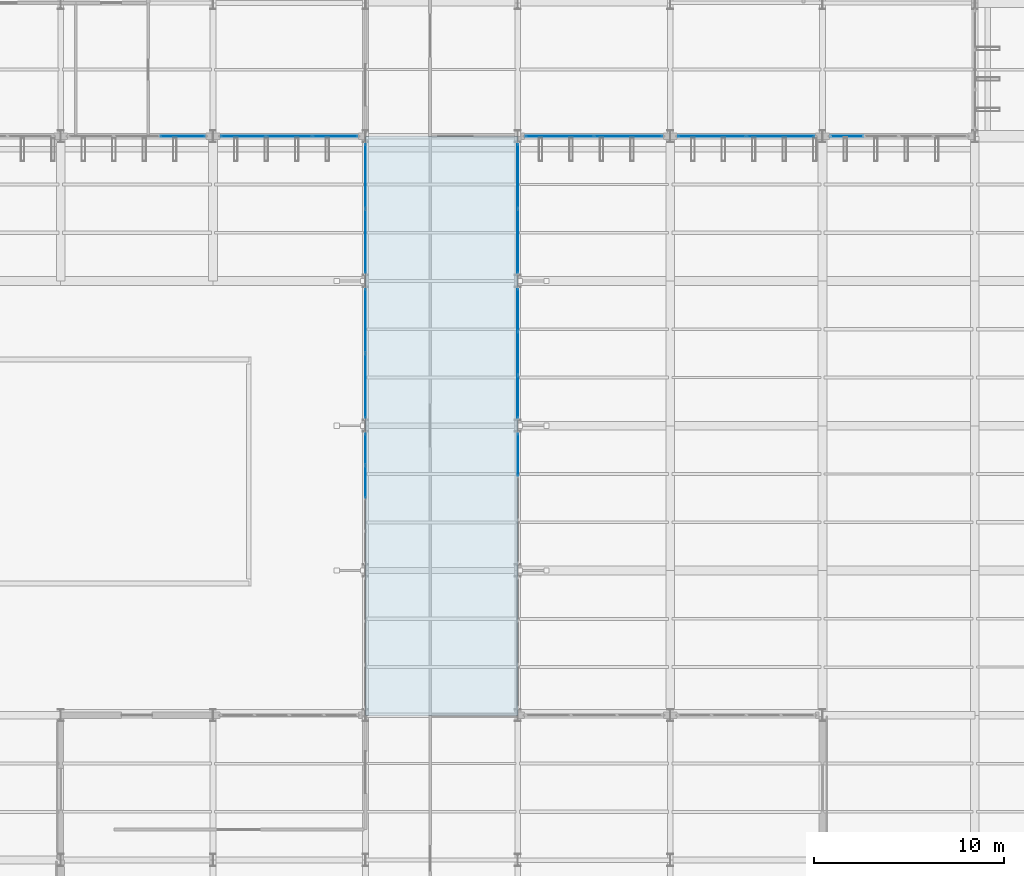
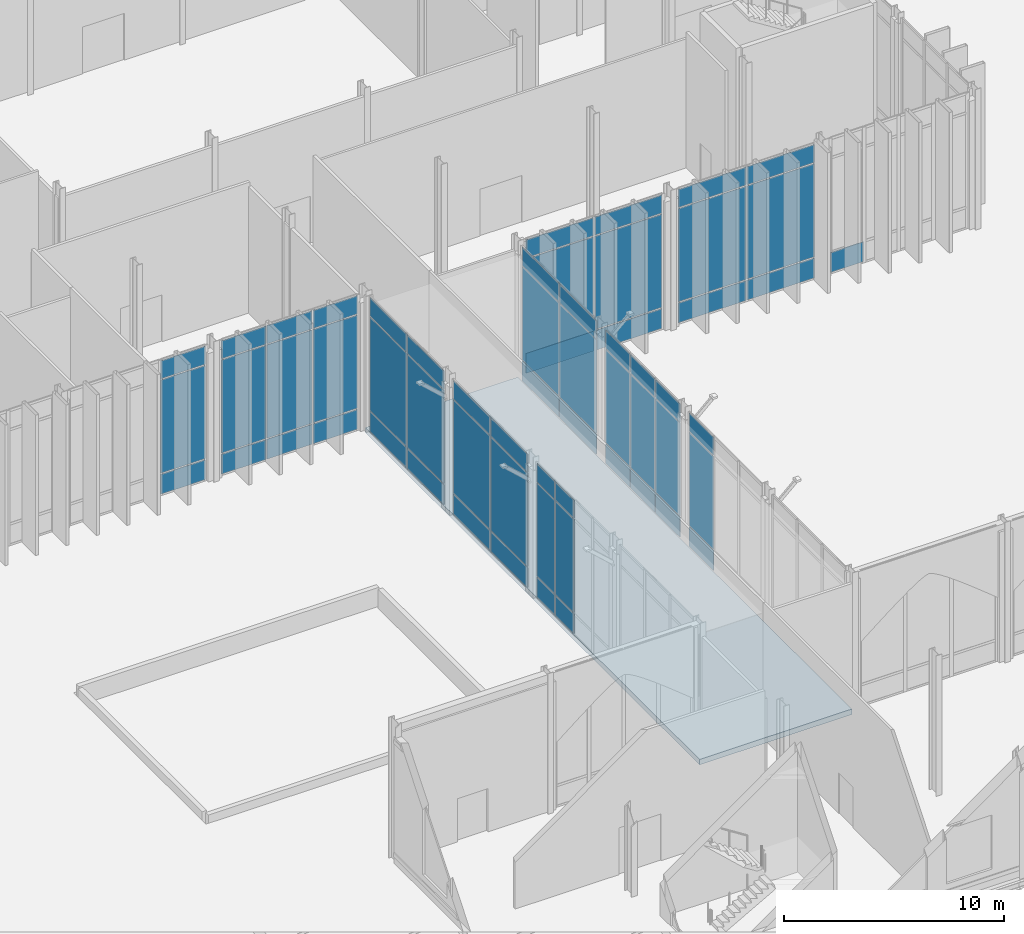
# One storey, part 118 of 176: 61 plates, 1 slab, 11 elements without a shape of their own.
"""IFC4 building model written with IfcOpenShell, lengths in metres."""

from ifc_helpers import new_model, si_unit, direction, frame, origin, origin_2d, place, context, subcontext, project, spatial, polyline, rectangle, outline, extrude, material, layer, layer_set, type_object, element, aggregate, save


model = new_model("IFC4")

# Units and contexts
model_context = context("Model", 3, precision=1e-05, world=origin(), true_north=direction((0.0, 1.0)))
body_context = subcontext(model_context, "Body", "Model", "MODEL_VIEW")
ifc_project = project(units=[si_unit("LENGTHUNIT", "METRE"), si_unit("AREAUNIT", "SQUARE_METRE"), si_unit("VOLUMEUNIT", "CUBIC_METRE"), si_unit("PLANEANGLEUNIT", "RADIAN"), si_unit("MASSUNIT", "GRAM", prefix="KILO")], contexts=[model_context])

# Site, building, storey
site_placement = place(None, origin())
site = spatial("IfcSite", under=ifc_project, at=site_placement, CompositionType="ELEMENT")
building_placement = place(site_placement, origin())
building = spatial("IfcBuilding", under=site, at=building_placement, Name="Vekula Escarpment Museum", CompositionType="ELEMENT")
storey_placement = place(building_placement, origin())
storey = spatial("IfcBuildingStorey", under=building, at=storey_placement, Name="L01", CompositionType="ELEMENT", Elevation=0.0)

# Curtain wall, plates
ifc_material_1 = material(Name="Aluminium thermally broken framing", Category="aluminium")
ifc_layer_1 = layer(ifc_material_1, 0.199951171875)
ifc_layer_set_1 = layer_set([ifc_layer_1], Name="Aluminium thermally broken framing")
curtain_wall_type_1 = type_object("IfcCurtainWallType", Name="CW-SYS-04", PredefinedType="NOTDEFINED", material=ifc_layer_set_1)
curtain_wall_1_placement = place(storey_placement, origin())
curtain_wall_1 = element("IfcCurtainWall", 1, at=curtain_wall_1_placement, inside=storey, type_object=curtain_wall_type_1, Name="Curtain Wall CW-L01-004", PredefinedType="NOTDEFINED")
ifc_material_2 = material(Name="Double solar-control low-E glass", Category="glass")
ifc_layer_2 = layer(ifc_material_2, 0.028076171875)
ifc_layer_set_2 = layer_set([ifc_layer_2], Name="Double solar-control low-E glass")
plate_type_1 = type_object("IfcPlateType", Name="CW-PNL-28", PredefinedType="CURTAIN_PANEL", material=ifc_layer_set_2)
plate_1_placement = place(storey_placement, frame((102.0, 28.877197265625, 0.06494140625), z_axis=(0.0, 0.0, 1.0), x_axis=(0.0, 1.0, 0.0)))
plate_1 = element("IfcPlate", 2, at=plate_1_placement, type_object=plate_type_1, Name="CW-04 panel 3.1", PredefinedType="CURTAIN_PANEL", context=body_context, shape_type="SweptSolid", body=[
    extrude(rectangle(XDim=2.19580078125, YDim=0.028076171875, at=origin_2d()), origin(), (0.0, 0.0, 1.0), 1.1025390625),
])
plate_2_placement = place(storey_placement, frame((102.0, 28.877197265625, 1.232421875), z_axis=(0.0, 0.0, 1.0), x_axis=(0.0, 1.0, 0.0)))
plate_2 = element("IfcPlate", 3, at=plate_2_placement, type_object=plate_type_1, Name="CW-04 panel 3.2", PredefinedType="CURTAIN_PANEL", context=body_context, shape_type="SweptSolid", body=[
    extrude(rectangle(XDim=2.19580078125, YDim=0.028076171875, at=origin_2d()), origin(), (0.0, 0.0, 1.0), 5.175048828125),
])
plate_3_placement = place(storey_placement, frame((102.0, 28.877197265625, 6.472412109375), z_axis=(0.0, 0.0, 1.0), x_axis=(0.0, 1.0, 0.0)))
plate_3 = element("IfcPlate", 4, at=plate_3_placement, type_object=plate_type_1, Name="CW-04 panel 3.3", PredefinedType="CURTAIN_PANEL", context=body_context, shape_type="SweptSolid", body=[
    extrude(rectangle(XDim=2.19580078125, YDim=0.028076171875, at=origin_2d()), origin(), (0.0, 0.0, 1.0), 1.00244140625),
])
aggregate(curtain_wall_1, [plate_1, plate_2, plate_3])

ifc_material_3 = material(Name="Aluminium thermally broken framing", Category="aluminium")
ifc_layer_3 = layer(ifc_material_3, 0.179931640625)
ifc_layer_set_3 = layer_set([ifc_layer_3], Name="Aluminium thermally broken framing")
curtain_wall_type_2 = type_object("IfcCurtainWallType", Name="CW-SYS-08", PredefinedType="NOTDEFINED", material=ifc_layer_set_3)
curtain_wall_2_placement = place(storey_placement, origin())
curtain_wall_2 = element("IfcCurtainWall", 5, at=curtain_wall_2_placement, inside=storey, type_object=curtain_wall_type_2, Name="Curtain Wall CW-L01-008", PredefinedType="NOTDEFINED")
plate_4_placement = place(storey_placement, frame((112.1962890625, 45.60009765625, 0.06494140625), z_axis=(0.0, 0.0, 1.0), x_axis=(1.0, 0.0, 0.0)))
plate_4 = element("IfcPlate", 6, at=plate_4_placement, type_object=plate_type_1, Name="CW-08 panel 1.1", PredefinedType="CURTAIN_PANEL", context=body_context, shape_type="SweptSolid", body=[
    extrude(rectangle(XDim=3.54248046875, YDim=0.028076171875, at=origin_2d()), origin(), (0.0, 0.0, 1.0), 1.1025390625),
])
plate_5_placement = place(storey_placement, frame((112.1962890625, 45.60009765625, 1.232421875), z_axis=(0.0, 0.0, 1.0), x_axis=(1.0, 0.0, 0.0)))
plate_5 = element("IfcPlate", 7, at=plate_5_placement, type_object=plate_type_1, Name="CW-08 panel 1.2", PredefinedType="CURTAIN_PANEL", context=body_context, shape_type="SweptSolid", body=[
    extrude(rectangle(XDim=3.54248046875, YDim=0.028076171875, at=origin_2d()), origin(), (0.0, 0.0, 1.0), 5.175048828125),
])
plate_6_placement = place(storey_placement, frame((112.1962890625, 45.60009765625, 6.472412109375), z_axis=(0.0, 0.0, 1.0), x_axis=(1.0, 0.0, 0.0)))
plate_6 = element("IfcPlate", 8, at=plate_6_placement, type_object=plate_type_1, Name="CW-08 panel 1.3", PredefinedType="CURTAIN_PANEL", context=body_context, shape_type="SweptSolid", body=[
    extrude(rectangle(XDim=3.54248046875, YDim=0.028076171875, at=origin_2d()), origin(), (0.0, 0.0, 1.0), 1.00244140625),
])
plate_7_placement = place(storey_placement, frame((115.8037109375, 45.60009765625, 0.06494140625), z_axis=(0.0, 0.0, 1.0), x_axis=(1.0, 0.0, 0.0)))
plate_7 = element("IfcPlate", 9, at=plate_7_placement, type_object=plate_type_1, Name="CW-08 panel 2.1", PredefinedType="CURTAIN_PANEL", context=body_context, shape_type="SweptSolid", body=[
    extrude(rectangle(XDim=3.54248046875, YDim=0.028076171875, at=origin_2d()), origin(), (0.0, 0.0, 1.0), 1.1025390625),
])
plate_8_placement = place(storey_placement, frame((115.8037109375, 45.60009765625, 1.232421875), z_axis=(0.0, 0.0, 1.0), x_axis=(1.0, 0.0, 0.0)))
plate_8 = element("IfcPlate", 10, at=plate_8_placement, type_object=plate_type_1, Name="CW-08 panel 2.2", PredefinedType="CURTAIN_PANEL", context=body_context, shape_type="SweptSolid", body=[
    extrude(rectangle(XDim=3.54248046875, YDim=0.028076171875, at=origin_2d()), origin(), (0.0, 0.0, 1.0), 5.175048828125),
])
plate_9_placement = place(storey_placement, frame((115.8037109375, 45.60009765625, 6.472412109375), z_axis=(0.0, 0.0, 1.0), x_axis=(1.0, 0.0, 0.0)))
plate_9 = element("IfcPlate", 11, at=plate_9_placement, type_object=plate_type_1, Name="CW-08 panel 2.3", PredefinedType="CURTAIN_PANEL", context=body_context, shape_type="SweptSolid", body=[
    extrude(rectangle(XDim=3.54248046875, YDim=0.028076171875, at=origin_2d()), origin(), (0.0, 0.0, 1.0), 1.00244140625),
])
aggregate(curtain_wall_2, [plate_4, plate_5, plate_6, plate_7, plate_8, plate_9])

curtain_wall_3_placement = place(storey_placement, origin())
curtain_wall_3 = element("IfcCurtainWall", 12, at=curtain_wall_3_placement, inside=storey, type_object=curtain_wall_type_2, Name="Curtain Wall CW-L01-048", PredefinedType="NOTDEFINED")
plate_10_placement = place(storey_placement, frame((94.0, 35.90380859375, 0.06494140625), z_axis=(0.0, 0.0, 1.0), x_axis=(0.0, -1.0, 0.0)))
plate_10 = element("IfcPlate", 13, at=plate_10_placement, type_object=plate_type_1, Name="CW-08 panel 1.1", PredefinedType="CURTAIN_PANEL", context=body_context, shape_type="SweptSolid", body=[
    extrude(rectangle(XDim=3.342529296875, YDim=0.028076171875, at=origin_2d()), origin(), (0.0, 0.0, 1.0), 1.1025390625),
])
plate_11_placement = place(storey_placement, frame((94.0, 35.90380859375, 1.232421875), z_axis=(0.0, 0.0, 1.0), x_axis=(0.0, -1.0, 0.0)))
plate_11 = element("IfcPlate", 14, at=plate_11_placement, type_object=plate_type_1, Name="CW-08 panel 1.2", PredefinedType="CURTAIN_PANEL", context=body_context, shape_type="SweptSolid", body=[
    extrude(rectangle(XDim=3.342529296875, YDim=0.028076171875, at=origin_2d()), origin(), (0.0, 0.0, 1.0), 5.175048828125),
])
plate_12_placement = place(storey_placement, frame((94.0, 35.90380859375, 6.472412109375), z_axis=(0.0, 0.0, 1.0), x_axis=(0.0, -1.0, 0.0)))
plate_12 = element("IfcPlate", 15, at=plate_12_placement, type_object=plate_type_1, Name="CW-08 panel 1.3", PredefinedType="CURTAIN_PANEL", context=body_context, shape_type="SweptSolid", body=[
    extrude(rectangle(XDim=3.342529296875, YDim=0.028076171875, at=origin_2d()), origin(), (0.0, 0.0, 1.0), 1.00244140625),
])
plate_13_placement = place(storey_placement, frame((94.0, 32.496337890625, 0.06494140625), z_axis=(0.0, 0.0, 1.0), x_axis=(0.0, -1.0, 0.0)))
plate_13 = element("IfcPlate", 16, at=plate_13_placement, type_object=plate_type_1, Name="CW-08 panel 2.1", PredefinedType="CURTAIN_PANEL", context=body_context, shape_type="SweptSolid", body=[
    extrude(rectangle(XDim=3.342529296875, YDim=0.028076171875, at=origin_2d()), origin(), (0.0, 0.0, 1.0), 1.1025390625),
])
plate_14_placement = place(storey_placement, frame((94.0, 32.496337890625, 1.232421875), z_axis=(0.0, 0.0, 1.0), x_axis=(0.0, -1.0, 0.0)))
plate_14 = element("IfcPlate", 17, at=plate_14_placement, type_object=plate_type_1, Name="CW-08 panel 2.2", PredefinedType="CURTAIN_PANEL", context=body_context, shape_type="SweptSolid", body=[
    extrude(rectangle(XDim=3.342529296875, YDim=0.028076171875, at=origin_2d()), origin(), (0.0, 0.0, 1.0), 5.175048828125),
])
plate_15_placement = place(storey_placement, frame((94.0, 32.496337890625, 6.472412109375), z_axis=(0.0, 0.0, 1.0), x_axis=(0.0, -1.0, 0.0)))
plate_15 = element("IfcPlate", 18, at=plate_15_placement, type_object=plate_type_1, Name="CW-08 panel 2.3", PredefinedType="CURTAIN_PANEL", context=body_context, shape_type="SweptSolid", body=[
    extrude(rectangle(XDim=3.342529296875, YDim=0.028076171875, at=origin_2d()), origin(), (0.0, 0.0, 1.0), 1.00244140625),
])
aggregate(curtain_wall_3, [plate_10, plate_11, plate_12, plate_13, plate_14, plate_15])

ifc_material_4 = material(Name="Aluminium thermally broken framing", Category="aluminium")
ifc_layer_4 = layer(ifc_material_4, 0.159912109375)
ifc_layer_set_4 = layer_set([ifc_layer_4], Name="Aluminium thermally broken framing")
curtain_wall_type_3 = type_object("IfcCurtainWallType", Name="CW-SYS-05", PredefinedType="NOTDEFINED", material=ifc_layer_set_4)
curtain_wall_4_placement = place(storey_placement, origin())
curtain_wall_4 = element("IfcCurtainWall", 19, at=curtain_wall_4_placement, inside=storey, type_object=curtain_wall_type_3, Name="Curtain Wall CW-L01-005", PredefinedType="NOTDEFINED")
ifc_material_5 = material(Name="Acoustic laminated double low-E glass", Category="glass")
ifc_layer_5 = layer(ifc_material_5, 0.031982421875)
ifc_layer_set_5 = layer_set([ifc_layer_5], Name="Acoustic laminated double low-E glass")
plate_type_2 = type_object("IfcPlateType", Name="CW-PNL-32", PredefinedType="CURTAIN_PANEL", material=ifc_layer_set_5)
plate_16_placement = place(storey_placement, frame((102.0, 31.9228515625, 0.06494140625), z_axis=(0.0, 0.0, 1.0), x_axis=(0.0, 1.0, 0.0)))
plate_16 = element("IfcPlate", 20, at=plate_16_placement, type_object=plate_type_2, Name="CW-05 panel 1.1", PredefinedType="CURTAIN_PANEL", context=body_context, shape_type="SweptSolid", body=[
    extrude(rectangle(XDim=2.19580078125, YDim=0.031982421875, at=origin_2d()), origin(), (0.0, 0.0, 1.0), 1.1025390625),
])
plate_17_placement = place(storey_placement, frame((102.0, 31.9228515625, 1.232421875), z_axis=(0.0, 0.0, 1.0), x_axis=(0.0, 1.0, 0.0)))
plate_17 = element("IfcPlate", 21, at=plate_17_placement, type_object=plate_type_2, Name="CW-05 panel 1.2", PredefinedType="CURTAIN_PANEL", context=body_context, shape_type="SweptSolid", body=[
    extrude(rectangle(XDim=2.19580078125, YDim=0.031982421875, at=origin_2d()), origin(), (0.0, 0.0, 1.0), 5.175048828125),
])
plate_18_placement = place(storey_placement, frame((102.0, 31.9228515625, 6.472412109375), z_axis=(0.0, 0.0, 1.0), x_axis=(0.0, 1.0, 0.0)))
plate_18 = element("IfcPlate", 22, at=plate_18_placement, type_object=plate_type_2, Name="CW-05 panel 1.3", PredefinedType="CURTAIN_PANEL", context=body_context, shape_type="SweptSolid", body=[
    extrude(rectangle(XDim=2.19580078125, YDim=0.031982421875, at=origin_2d()), origin(), (0.0, 0.0, 1.0), 1.00244140625),
])
plate_19_placement = place(storey_placement, frame((102.0, 34.199951171875, 0.06494140625), z_axis=(0.0, 0.0, 1.0), x_axis=(0.0, 1.0, 0.0)))
plate_19 = element("IfcPlate", 23, at=plate_19_placement, type_object=plate_type_2, Name="CW-05 panel 2.1", PredefinedType="CURTAIN_PANEL", context=body_context, shape_type="SweptSolid", body=[
    extrude(rectangle(XDim=2.228271484375, YDim=0.031982421875, at=origin_2d()), origin(), (0.0, 0.0, 1.0), 1.1025390625),
])
plate_20_placement = place(storey_placement, frame((102.0, 34.199951171875, 1.232421875), z_axis=(0.0, 0.0, 1.0), x_axis=(0.0, 1.0, 0.0)))
plate_20 = element("IfcPlate", 24, at=plate_20_placement, type_object=plate_type_2, Name="CW-05 panel 2.2", PredefinedType="CURTAIN_PANEL", context=body_context, shape_type="SweptSolid", body=[
    extrude(rectangle(XDim=2.228271484375, YDim=0.031982421875, at=origin_2d()), origin(), (0.0, 0.0, 1.0), 5.175048828125),
])
plate_21_placement = place(storey_placement, frame((102.0, 34.199951171875, 6.472412109375), z_axis=(0.0, 0.0, 1.0), x_axis=(0.0, 1.0, 0.0)))
plate_21 = element("IfcPlate", 25, at=plate_21_placement, type_object=plate_type_2, Name="CW-05 panel 2.3", PredefinedType="CURTAIN_PANEL", context=body_context, shape_type="SweptSolid", body=[
    extrude(rectangle(XDim=2.228271484375, YDim=0.031982421875, at=origin_2d()), origin(), (0.0, 0.0, 1.0), 1.00244140625),
])
plate_22_placement = place(storey_placement, frame((102.0, 36.47705078125, 0.06494140625), z_axis=(0.0, 0.0, 1.0), x_axis=(0.0, 1.0, 0.0)))
plate_22 = element("IfcPlate", 26, at=plate_22_placement, type_object=plate_type_2, Name="CW-05 panel 3.1", PredefinedType="CURTAIN_PANEL", context=body_context, shape_type="SweptSolid", body=[
    extrude(rectangle(XDim=2.19580078125, YDim=0.031982421875, at=origin_2d()), origin(), (0.0, 0.0, 1.0), 1.1025390625),
])
plate_23_placement = place(storey_placement, frame((102.0, 36.47705078125, 1.232421875), z_axis=(0.0, 0.0, 1.0), x_axis=(0.0, 1.0, 0.0)))
plate_23 = element("IfcPlate", 27, at=plate_23_placement, type_object=plate_type_2, Name="CW-05 panel 3.2", PredefinedType="CURTAIN_PANEL", context=body_context, shape_type="SweptSolid", body=[
    extrude(rectangle(XDim=2.19580078125, YDim=0.031982421875, at=origin_2d()), origin(), (0.0, 0.0, 1.0), 5.175048828125),
])
plate_24_placement = place(storey_placement, frame((102.0, 36.47705078125, 6.472412109375), z_axis=(0.0, 0.0, 1.0), x_axis=(0.0, 1.0, 0.0)))
plate_24 = element("IfcPlate", 28, at=plate_24_placement, type_object=plate_type_2, Name="CW-05 panel 3.3", PredefinedType="CURTAIN_PANEL", context=body_context, shape_type="SweptSolid", body=[
    extrude(rectangle(XDim=2.19580078125, YDim=0.031982421875, at=origin_2d()), origin(), (0.0, 0.0, 1.0), 1.00244140625),
])
aggregate(curtain_wall_4, [plate_16, plate_17, plate_18, plate_19, plate_20, plate_21, plate_22, plate_23, plate_24])

# Curtain wall, plate
ifc_material_6 = material(Name="Aluminium thermally broken framing", Category="aluminium")
ifc_layer_6 = layer(ifc_material_6, 0.14990234375)
ifc_layer_set_6 = layer_set([ifc_layer_6], Name="Aluminium thermally broken framing")
curtain_wall_type_4 = type_object("IfcCurtainWallType", Name="CW-SYS-09", PredefinedType="NOTDEFINED", material=ifc_layer_set_6)
curtain_wall_5_placement = place(storey_placement, origin())
curtain_wall_5 = element("IfcCurtainWall", 29, at=curtain_wall_5_placement, inside=storey, type_object=curtain_wall_type_4, Name="Curtain Wall CW-L01-009", PredefinedType="NOTDEFINED")
plate_25_placement = place(storey_placement, frame((119.2861328125, 45.60009765625, 0.06494140625), z_axis=(0.0, 0.0, 1.0), x_axis=(1.0, 0.0, 0.0)))
plate_25 = element("IfcPlate", 30, at=plate_25_placement, type_object=plate_type_2, Name="CW-09 panel 1.1", PredefinedType="CURTAIN_PANEL", context=body_context, shape_type="SweptSolid", body=[
    extrude(rectangle(XDim=1.722412109375, YDim=0.031982421875, at=origin_2d()), origin(), (0.0, 0.0, 1.0), 1.1025390625),
])
aggregate(curtain_wall_5, [plate_25])

# Curtain wall, plates
curtain_wall_6_placement = place(storey_placement, origin())
curtain_wall_6 = element("IfcCurtainWall", 31, at=curtain_wall_6_placement, inside=storey, type_object=curtain_wall_type_3, Name="Curtain Wall CW-L01-045", PredefinedType="NOTDEFINED")
plate_26_placement = place(storey_placement, frame((84.410400390625, 45.60009765625, 0.06494140625), z_axis=(0.0, 0.0, 1.0), x_axis=(1.0, 0.0, 0.0)))
plate_26 = element("IfcPlate", 32, at=plate_26_placement, type_object=plate_type_2, Name="CW-05 panel 3.1", PredefinedType="CURTAIN_PANEL", context=body_context, shape_type="SweptSolid", body=[
    extrude(rectangle(XDim=2.3291015625, YDim=0.031982421875, at=origin_2d()), origin(), (0.0, 0.0, 1.0), 1.1025390625),
])
plate_27_placement = place(storey_placement, frame((84.410400390625, 45.60009765625, 1.232421875), z_axis=(0.0, 0.0, 1.0), x_axis=(1.0, 0.0, 0.0)))
plate_27 = element("IfcPlate", 33, at=plate_27_placement, type_object=plate_type_2, Name="CW-05 panel 3.2", PredefinedType="CURTAIN_PANEL", context=body_context, shape_type="SweptSolid", body=[
    extrude(rectangle(XDim=2.3291015625, YDim=0.031982421875, at=origin_2d()), origin(), (0.0, 0.0, 1.0), 5.175048828125),
])
plate_28_placement = place(storey_placement, frame((84.410400390625, 45.60009765625, 6.472412109375), z_axis=(0.0, 0.0, 1.0), x_axis=(1.0, 0.0, 0.0)))
plate_28 = element("IfcPlate", 34, at=plate_28_placement, type_object=plate_type_2, Name="CW-05 panel 3.3", PredefinedType="CURTAIN_PANEL", context=body_context, shape_type="SweptSolid", body=[
    extrude(rectangle(XDim=2.3291015625, YDim=0.031982421875, at=origin_2d()), origin(), (0.0, 0.0, 1.0), 1.00244140625),
])
aggregate(curtain_wall_6, [plate_26, plate_27, plate_28])

curtain_wall_7_placement = place(storey_placement, origin())
curtain_wall_7 = element("IfcCurtainWall", 35, at=curtain_wall_7_placement, inside=storey, type_object=curtain_wall_type_4, Name="Curtain Wall CW-L01-049", PredefinedType="NOTDEFINED")
plate_29_placement = place(storey_placement, frame((94.0, 29.163818359375, 0.06494140625), z_axis=(0.0, 0.0, 1.0), x_axis=(0.0, -1.0, 0.0)))
plate_29 = element("IfcPlate", 36, at=plate_29_placement, type_object=plate_type_2, Name="CW-09 panel 1.1", PredefinedType="CURTAIN_PANEL", context=body_context, shape_type="SweptSolid", body=[
    extrude(rectangle(XDim=1.62255859375, YDim=0.031982421875, at=origin_2d()), origin(), (0.0, 0.0, 1.0), 1.1025390625),
])
plate_30_placement = place(storey_placement, frame((94.0, 29.163818359375, 1.232421875), z_axis=(0.0, 0.0, 1.0), x_axis=(0.0, -1.0, 0.0)))
plate_30 = element("IfcPlate", 37, at=plate_30_placement, type_object=plate_type_2, Name="CW-09 panel 1.2", PredefinedType="CURTAIN_PANEL", context=body_context, shape_type="SweptSolid", body=[
    extrude(rectangle(XDim=1.62255859375, YDim=0.031982421875, at=origin_2d()), origin(), (0.0, 0.0, 1.0), 5.175048828125),
])
plate_31_placement = place(storey_placement, frame((94.0, 29.163818359375, 6.472412109375), z_axis=(0.0, 0.0, 1.0), x_axis=(0.0, -1.0, 0.0)))
plate_31 = element("IfcPlate", 38, at=plate_31_placement, type_object=plate_type_2, Name="CW-09 panel 1.3", PredefinedType="CURTAIN_PANEL", context=body_context, shape_type="SweptSolid", body=[
    extrude(rectangle(XDim=1.62255859375, YDim=0.031982421875, at=origin_2d()), origin(), (0.0, 0.0, 1.0), 1.00244140625),
])
plate_32_placement = place(storey_placement, frame((94.0, 27.4599609375, 0.06494140625), z_axis=(0.0, 0.0, 1.0), x_axis=(0.0, -1.0, 0.0)))
plate_32 = element("IfcPlate", 39, at=plate_32_placement, type_object=plate_type_2, Name="CW-09 panel 2.1", PredefinedType="CURTAIN_PANEL", context=body_context, shape_type="SweptSolid", body=[
    extrude(rectangle(XDim=1.655029296875, YDim=0.031982421875, at=origin_2d()), origin(), (0.0, 0.0, 1.0), 1.1025390625),
])
plate_33_placement = place(storey_placement, frame((94.0, 27.4599609375, 1.232421875), z_axis=(0.0, 0.0, 1.0), x_axis=(0.0, -1.0, 0.0)))
plate_33 = element("IfcPlate", 40, at=plate_33_placement, type_object=plate_type_2, Name="CW-09 panel 2.2", PredefinedType="CURTAIN_PANEL", context=body_context, shape_type="SweptSolid", body=[
    extrude(rectangle(XDim=1.655029296875, YDim=0.031982421875, at=origin_2d()), origin(), (0.0, 0.0, 1.0), 5.175048828125),
])
plate_34_placement = place(storey_placement, frame((94.0, 27.4599609375, 6.472412109375), z_axis=(0.0, 0.0, 1.0), x_axis=(0.0, -1.0, 0.0)))
plate_34 = element("IfcPlate", 41, at=plate_34_placement, type_object=plate_type_2, Name="CW-09 panel 2.3", PredefinedType="CURTAIN_PANEL", context=body_context, shape_type="SweptSolid", body=[
    extrude(rectangle(XDim=1.655029296875, YDim=0.031982421875, at=origin_2d()), origin(), (0.0, 0.0, 1.0), 1.00244140625),
])
aggregate(curtain_wall_7, [plate_29, plate_30, plate_31, plate_32, plate_33, plate_34])

ifc_material_7 = material(Name="Aluminium thermally broken framing", Category="aluminium")
ifc_layer_7 = layer(ifc_material_7, 0.139892578125)
ifc_layer_set_7 = layer_set([ifc_layer_7], Name="Aluminium thermally broken framing")
curtain_wall_type_5 = type_object("IfcCurtainWallType", Name="CW-SYS-06", PredefinedType="NOTDEFINED", material=ifc_layer_set_7)
curtain_wall_8_placement = place(storey_placement, origin())
curtain_wall_8 = element("IfcCurtainWall", 42, at=curtain_wall_8_placement, inside=storey, type_object=curtain_wall_type_5, Name="Curtain Wall CW-L01-006", PredefinedType="NOTDEFINED")
ifc_material_8 = material(Name="Triple UV-filtered museum gallery glass", Category="glass")
ifc_layer_8 = layer(ifc_material_8, 0.035888671875)
ifc_layer_set_8 = layer_set([ifc_layer_8], Name="Triple UV-filtered museum gallery glass")
plate_type_3 = type_object("IfcPlateType", Name="CW-PNL-36", PredefinedType="CURTAIN_PANEL", material=ifc_layer_set_8)
plate_35_placement = place(storey_placement, frame((102.0, 40.09619140625, 0.06494140625), z_axis=(0.0, 0.0, 1.0), x_axis=(0.0, 1.0, 0.0)))
plate_35 = element("IfcPlate", 43, at=plate_35_placement, type_object=plate_type_3, Name="CW-06 panel 1.1", PredefinedType="CURTAIN_PANEL", context=body_context, shape_type="SweptSolid", body=[
    extrude(rectangle(XDim=3.342529296875, YDim=0.035888671875, at=origin_2d()), origin(), (0.0, 0.0, 1.0), 1.1025390625),
])
plate_36_placement = place(storey_placement, frame((102.0, 40.09619140625, 1.232421875), z_axis=(0.0, 0.0, 1.0), x_axis=(0.0, 1.0, 0.0)))
plate_36 = element("IfcPlate", 44, at=plate_36_placement, type_object=plate_type_3, Name="CW-06 panel 1.2", PredefinedType="CURTAIN_PANEL", context=body_context, shape_type="SweptSolid", body=[
    extrude(rectangle(XDim=3.342529296875, YDim=0.035888671875, at=origin_2d()), origin(), (0.0, 0.0, 1.0), 5.175048828125),
])
plate_37_placement = place(storey_placement, frame((102.0, 40.09619140625, 6.472412109375), z_axis=(0.0, 0.0, 1.0), x_axis=(0.0, 1.0, 0.0)))
plate_37 = element("IfcPlate", 45, at=plate_37_placement, type_object=plate_type_3, Name="CW-06 panel 1.3", PredefinedType="CURTAIN_PANEL", context=body_context, shape_type="SweptSolid", body=[
    extrude(rectangle(XDim=3.342529296875, YDim=0.035888671875, at=origin_2d()), origin(), (0.0, 0.0, 1.0), 1.00244140625),
])
plate_38_placement = place(storey_placement, frame((102.0, 43.503662109375, 0.06494140625), z_axis=(0.0, 0.0, 1.0), x_axis=(0.0, 1.0, 0.0)))
plate_38 = element("IfcPlate", 46, at=plate_38_placement, type_object=plate_type_3, Name="CW-06 panel 2.1", PredefinedType="CURTAIN_PANEL", context=body_context, shape_type="SweptSolid", body=[
    extrude(rectangle(XDim=3.342529296875, YDim=0.035888671875, at=origin_2d()), origin(), (0.0, 0.0, 1.0), 1.1025390625),
])
plate_39_placement = place(storey_placement, frame((102.0, 43.503662109375, 1.232421875), z_axis=(0.0, 0.0, 1.0), x_axis=(0.0, 1.0, 0.0)))
plate_39 = element("IfcPlate", 47, at=plate_39_placement, type_object=plate_type_3, Name="CW-06 panel 2.2", PredefinedType="CURTAIN_PANEL", context=body_context, shape_type="SweptSolid", body=[
    extrude(rectangle(XDim=3.342529296875, YDim=0.035888671875, at=origin_2d()), origin(), (0.0, 0.0, 1.0), 5.175048828125),
])
plate_40_placement = place(storey_placement, frame((102.0, 43.503662109375, 6.472412109375), z_axis=(0.0, 0.0, 1.0), x_axis=(0.0, 1.0, 0.0)))
plate_40 = element("IfcPlate", 48, at=plate_40_placement, type_object=plate_type_3, Name="CW-06 panel 2.3", PredefinedType="CURTAIN_PANEL", context=body_context, shape_type="SweptSolid", body=[
    extrude(rectangle(XDim=3.342529296875, YDim=0.035888671875, at=origin_2d()), origin(), (0.0, 0.0, 1.0), 1.00244140625),
])
aggregate(curtain_wall_8, [plate_35, plate_36, plate_37, plate_38, plate_39, plate_40])

curtain_wall_9_placement = place(storey_placement, origin())
curtain_wall_9 = element("IfcCurtainWall", 49, at=curtain_wall_9_placement, inside=storey, type_object=curtain_wall_type_5, Name="Curtain Wall CW-L01-046", PredefinedType="NOTDEFINED")
plate_41_placement = place(storey_placement, frame((87.589599609375, 45.60009765625, 0.06494140625), z_axis=(0.0, 0.0, 1.0), x_axis=(1.0, 0.0, 0.0)))
plate_41 = element("IfcPlate", 50, at=plate_41_placement, type_object=plate_type_3, Name="CW-06 panel 1.1", PredefinedType="CURTAIN_PANEL", context=body_context, shape_type="SweptSolid", body=[
    extrude(rectangle(XDim=2.3291015625, YDim=0.035888671875, at=origin_2d()), origin(), (0.0, 0.0, 1.0), 1.1025390625),
])
plate_42_placement = place(storey_placement, frame((87.589599609375, 45.60009765625, 1.232421875), z_axis=(0.0, 0.0, 1.0), x_axis=(1.0, 0.0, 0.0)))
plate_42 = element("IfcPlate", 51, at=plate_42_placement, type_object=plate_type_3, Name="CW-06 panel 1.2", PredefinedType="CURTAIN_PANEL", context=body_context, shape_type="SweptSolid", body=[
    extrude(rectangle(XDim=2.3291015625, YDim=0.035888671875, at=origin_2d()), origin(), (0.0, 0.0, 1.0), 5.175048828125),
])
plate_43_placement = place(storey_placement, frame((87.589599609375, 45.60009765625, 6.472412109375), z_axis=(0.0, 0.0, 1.0), x_axis=(1.0, 0.0, 0.0)))
plate_43 = element("IfcPlate", 52, at=plate_43_placement, type_object=plate_type_3, Name="CW-06 panel 1.3", PredefinedType="CURTAIN_PANEL", context=body_context, shape_type="SweptSolid", body=[
    extrude(rectangle(XDim=2.3291015625, YDim=0.035888671875, at=origin_2d()), origin(), (0.0, 0.0, 1.0), 1.00244140625),
])
plate_44_placement = place(storey_placement, frame((90.0, 45.60009765625, 0.06494140625), z_axis=(0.0, 0.0, 1.0), x_axis=(1.0, 0.0, 0.0)))
plate_44 = element("IfcPlate", 53, at=plate_44_placement, type_object=plate_type_3, Name="CW-06 panel 2.1", PredefinedType="CURTAIN_PANEL", context=body_context, shape_type="SweptSolid", body=[
    extrude(rectangle(XDim=2.361572265625, YDim=0.035888671875, at=origin_2d()), origin(), (0.0, 0.0, 1.0), 1.1025390625),
])
plate_45_placement = place(storey_placement, frame((90.0, 45.60009765625, 1.232421875), z_axis=(0.0, 0.0, 1.0), x_axis=(1.0, 0.0, 0.0)))
plate_45 = element("IfcPlate", 54, at=plate_45_placement, type_object=plate_type_3, Name="CW-06 panel 2.2", PredefinedType="CURTAIN_PANEL", context=body_context, shape_type="SweptSolid", body=[
    extrude(rectangle(XDim=2.361572265625, YDim=0.035888671875, at=origin_2d()), origin(), (0.0, 0.0, 1.0), 5.175048828125),
])
plate_46_placement = place(storey_placement, frame((90.0, 45.60009765625, 6.472412109375), z_axis=(0.0, 0.0, 1.0), x_axis=(1.0, 0.0, 0.0)))
plate_46 = element("IfcPlate", 55, at=plate_46_placement, type_object=plate_type_3, Name="CW-06 panel 2.3", PredefinedType="CURTAIN_PANEL", context=body_context, shape_type="SweptSolid", body=[
    extrude(rectangle(XDim=2.361572265625, YDim=0.035888671875, at=origin_2d()), origin(), (0.0, 0.0, 1.0), 1.00244140625),
])
plate_47_placement = place(storey_placement, frame((92.410400390625, 45.60009765625, 0.06494140625), z_axis=(0.0, 0.0, 1.0), x_axis=(1.0, 0.0, 0.0)))
plate_47 = element("IfcPlate", 56, at=plate_47_placement, type_object=plate_type_3, Name="CW-06 panel 3.1", PredefinedType="CURTAIN_PANEL", context=body_context, shape_type="SweptSolid", body=[
    extrude(rectangle(XDim=2.3291015625, YDim=0.035888671875, at=origin_2d()), origin(), (0.0, 0.0, 1.0), 1.1025390625),
])
plate_48_placement = place(storey_placement, frame((92.410400390625, 45.60009765625, 1.232421875), z_axis=(0.0, 0.0, 1.0), x_axis=(1.0, 0.0, 0.0)))
plate_48 = element("IfcPlate", 57, at=plate_48_placement, type_object=plate_type_3, Name="CW-06 panel 3.2", PredefinedType="CURTAIN_PANEL", context=body_context, shape_type="SweptSolid", body=[
    extrude(rectangle(XDim=2.3291015625, YDim=0.035888671875, at=origin_2d()), origin(), (0.0, 0.0, 1.0), 5.175048828125),
])
plate_49_placement = place(storey_placement, frame((92.410400390625, 45.60009765625, 6.472412109375), z_axis=(0.0, 0.0, 1.0), x_axis=(1.0, 0.0, 0.0)))
plate_49 = element("IfcPlate", 58, at=plate_49_placement, type_object=plate_type_3, Name="CW-06 panel 3.3", PredefinedType="CURTAIN_PANEL", context=body_context, shape_type="SweptSolid", body=[
    extrude(rectangle(XDim=2.3291015625, YDim=0.035888671875, at=origin_2d()), origin(), (0.0, 0.0, 1.0), 1.00244140625),
])
aggregate(curtain_wall_9, [plate_41, plate_42, plate_43, plate_44, plate_45, plate_46, plate_47, plate_48, plate_49])

ifc_material_9 = material(Name="Aluminium thermally broken framing", Category="aluminium")
ifc_layer_9 = layer(ifc_material_9, 0.179931640625)
ifc_layer_set_9 = layer_set([ifc_layer_9], Name="Aluminium thermally broken framing")
curtain_wall_type_6 = type_object("IfcCurtainWallType", Name="CW-SYS-07", PredefinedType="NOTDEFINED", material=ifc_layer_set_9)
curtain_wall_10_placement = place(storey_placement, origin())
curtain_wall_10 = element("IfcCurtainWall", 59, at=curtain_wall_10_placement, inside=storey, type_object=curtain_wall_type_6, Name="Curtain Wall CW-L01-007", PredefinedType="NOTDEFINED")
ifc_material_10 = material(Name="Insulated bronze spandrel glass panel", Category="glass")
ifc_layer_10 = layer(ifc_material_10, 0.0400390625)
ifc_layer_set_10 = layer_set([ifc_layer_10], Name="Insulated bronze spandrel glass panel")
plate_type_4 = type_object("IfcPlateType", Name="CW-PNL-40", PredefinedType="CURTAIN_PANEL", material=ifc_layer_set_10)
plate_50_placement = place(storey_placement, frame((104.1962890625, 45.60009765625, 0.06494140625), z_axis=(0.0, 0.0, 1.0), x_axis=(1.0, 0.0, 0.0)))
plate_50 = element("IfcPlate", 60, at=plate_50_placement, type_object=plate_type_4, Name="CW-07 panel 1.1", PredefinedType="CURTAIN_PANEL", context=body_context, shape_type="SweptSolid", body=[
    extrude(rectangle(XDim=3.54248046875, YDim=0.0400390625, at=origin_2d()), origin(), (0.0, 0.0, 1.0), 1.1025390625),
])
plate_51_placement = place(storey_placement, frame((104.1962890625, 45.60009765625, 1.232421875), z_axis=(0.0, 0.0, 1.0), x_axis=(1.0, 0.0, 0.0)))
plate_51 = element("IfcPlate", 61, at=plate_51_placement, type_object=plate_type_4, Name="CW-07 panel 1.2", PredefinedType="CURTAIN_PANEL", context=body_context, shape_type="SweptSolid", body=[
    extrude(rectangle(XDim=3.54248046875, YDim=0.0400390625, at=origin_2d()), origin(), (0.0, 0.0, 1.0), 5.175048828125),
])
plate_52_placement = place(storey_placement, frame((104.1962890625, 45.60009765625, 6.472412109375), z_axis=(0.0, 0.0, 1.0), x_axis=(1.0, 0.0, 0.0)))
plate_52 = element("IfcPlate", 62, at=plate_52_placement, type_object=plate_type_4, Name="CW-07 panel 1.3", PredefinedType="CURTAIN_PANEL", context=body_context, shape_type="SweptSolid", body=[
    extrude(rectangle(XDim=3.54248046875, YDim=0.0400390625, at=origin_2d()), origin(), (0.0, 0.0, 1.0), 1.00244140625),
])
plate_53_placement = place(storey_placement, frame((107.8037109375, 45.60009765625, 0.06494140625), z_axis=(0.0, 0.0, 1.0), x_axis=(1.0, 0.0, 0.0)))
plate_53 = element("IfcPlate", 63, at=plate_53_placement, type_object=plate_type_4, Name="CW-07 panel 2.1", PredefinedType="CURTAIN_PANEL", context=body_context, shape_type="SweptSolid", body=[
    extrude(rectangle(XDim=3.54248046875, YDim=0.0400390625, at=origin_2d()), origin(), (0.0, 0.0, 1.0), 1.1025390625),
])
plate_54_placement = place(storey_placement, frame((107.8037109375, 45.60009765625, 1.232421875), z_axis=(0.0, 0.0, 1.0), x_axis=(1.0, 0.0, 0.0)))
plate_54 = element("IfcPlate", 64, at=plate_54_placement, type_object=plate_type_4, Name="CW-07 panel 2.2", PredefinedType="CURTAIN_PANEL", context=body_context, shape_type="SweptSolid", body=[
    extrude(rectangle(XDim=3.54248046875, YDim=0.0400390625, at=origin_2d()), origin(), (0.0, 0.0, 1.0), 5.175048828125),
])
plate_55_placement = place(storey_placement, frame((107.8037109375, 45.60009765625, 6.472412109375), z_axis=(0.0, 0.0, 1.0), x_axis=(1.0, 0.0, 0.0)))
plate_55 = element("IfcPlate", 65, at=plate_55_placement, type_object=plate_type_4, Name="CW-07 panel 2.3", PredefinedType="CURTAIN_PANEL", context=body_context, shape_type="SweptSolid", body=[
    extrude(rectangle(XDim=3.54248046875, YDim=0.0400390625, at=origin_2d()), origin(), (0.0, 0.0, 1.0), 1.00244140625),
])
aggregate(curtain_wall_10, [plate_50, plate_51, plate_52, plate_53, plate_54, plate_55])

curtain_wall_11_placement = place(storey_placement, origin())
curtain_wall_11 = element("IfcCurtainWall", 66, at=curtain_wall_11_placement, inside=storey, type_object=curtain_wall_type_6, Name="Curtain Wall CW-L01-047", PredefinedType="NOTDEFINED")
plate_56_placement = place(storey_placement, frame((94.0, 43.503662109375, 0.06494140625), z_axis=(0.0, 0.0, 1.0), x_axis=(0.0, -1.0, 0.0)))
plate_56 = element("IfcPlate", 67, at=plate_56_placement, type_object=plate_type_4, Name="CW-07 panel 1.1", PredefinedType="CURTAIN_PANEL", context=body_context, shape_type="SweptSolid", body=[
    extrude(rectangle(XDim=3.342529296875, YDim=0.0400390625, at=origin_2d()), origin(), (0.0, 0.0, 1.0), 1.1025390625),
])
plate_57_placement = place(storey_placement, frame((94.0, 43.503662109375, 1.232421875), z_axis=(0.0, 0.0, 1.0), x_axis=(0.0, -1.0, 0.0)))
plate_57 = element("IfcPlate", 68, at=plate_57_placement, type_object=plate_type_4, Name="CW-07 panel 1.2", PredefinedType="CURTAIN_PANEL", context=body_context, shape_type="SweptSolid", body=[
    extrude(rectangle(XDim=3.342529296875, YDim=0.0400390625, at=origin_2d()), origin(), (0.0, 0.0, 1.0), 5.175048828125),
])
plate_58_placement = place(storey_placement, frame((94.0, 43.503662109375, 6.472412109375), z_axis=(0.0, 0.0, 1.0), x_axis=(0.0, -1.0, 0.0)))
plate_58 = element("IfcPlate", 69, at=plate_58_placement, type_object=plate_type_4, Name="CW-07 panel 1.3", PredefinedType="CURTAIN_PANEL", context=body_context, shape_type="SweptSolid", body=[
    extrude(rectangle(XDim=3.342529296875, YDim=0.0400390625, at=origin_2d()), origin(), (0.0, 0.0, 1.0), 1.00244140625),
])
plate_59_placement = place(storey_placement, frame((94.0, 40.09619140625, 0.06494140625), z_axis=(0.0, 0.0, 1.0), x_axis=(0.0, -1.0, 0.0)))
plate_59 = element("IfcPlate", 70, at=plate_59_placement, type_object=plate_type_4, Name="CW-07 panel 2.1", PredefinedType="CURTAIN_PANEL", context=body_context, shape_type="SweptSolid", body=[
    extrude(rectangle(XDim=3.342529296875, YDim=0.0400390625, at=origin_2d()), origin(), (0.0, 0.0, 1.0), 1.1025390625),
])
plate_60_placement = place(storey_placement, frame((94.0, 40.09619140625, 1.232421875), z_axis=(0.0, 0.0, 1.0), x_axis=(0.0, -1.0, 0.0)))
plate_60 = element("IfcPlate", 71, at=plate_60_placement, type_object=plate_type_4, Name="CW-07 panel 2.2", PredefinedType="CURTAIN_PANEL", context=body_context, shape_type="SweptSolid", body=[
    extrude(rectangle(XDim=3.342529296875, YDim=0.0400390625, at=origin_2d()), origin(), (0.0, 0.0, 1.0), 5.175048828125),
])
plate_61_placement = place(storey_placement, frame((94.0, 40.09619140625, 6.472412109375), z_axis=(0.0, 0.0, 1.0), x_axis=(0.0, -1.0, 0.0)))
plate_61 = element("IfcPlate", 72, at=plate_61_placement, type_object=plate_type_4, Name="CW-07 panel 2.3", PredefinedType="CURTAIN_PANEL", context=body_context, shape_type="SweptSolid", body=[
    extrude(rectangle(XDim=3.342529296875, YDim=0.0400390625, at=origin_2d()), origin(), (0.0, 0.0, 1.0), 1.00244140625),
])
aggregate(curtain_wall_11, [plate_56, plate_57, plate_58, plate_59, plate_60, plate_61])

# Slab
ifc_material_11 = material(Name="Concrete C35/45", Category="concrete")
ifc_layer_11 = layer(ifc_material_11, 0.300048828125)
ifc_layer_set_11 = layer_set([ifc_layer_11], Name="Concrete C35/45")
slab_type = type_object("IfcSlabType", Name="SL-FLR-300", PredefinedType="FLOOR", material=ifc_layer_set_11)
slab_placement = place(storey_placement, frame((0.0, 0.0, -0.300048828125)))
element("IfcSlab", 73, at=slab_placement, inside=storey, type_object=slab_type, Name="Floor Slab W-L01-V2-SLK", PredefinedType="FLOOR", context=body_context, shape_type="SweptSolid", body=[
    extrude(outline(polyline([(94.0, 15.199951171875), (102.0, 15.199951171875), (102.0, 45.60009765625), (94.0, 45.60009765625), (94.0, 15.199951171875)])), origin(), (0.0, 0.0, 1.0), 0.300048828125),
])

save(model, "model.ifc")
